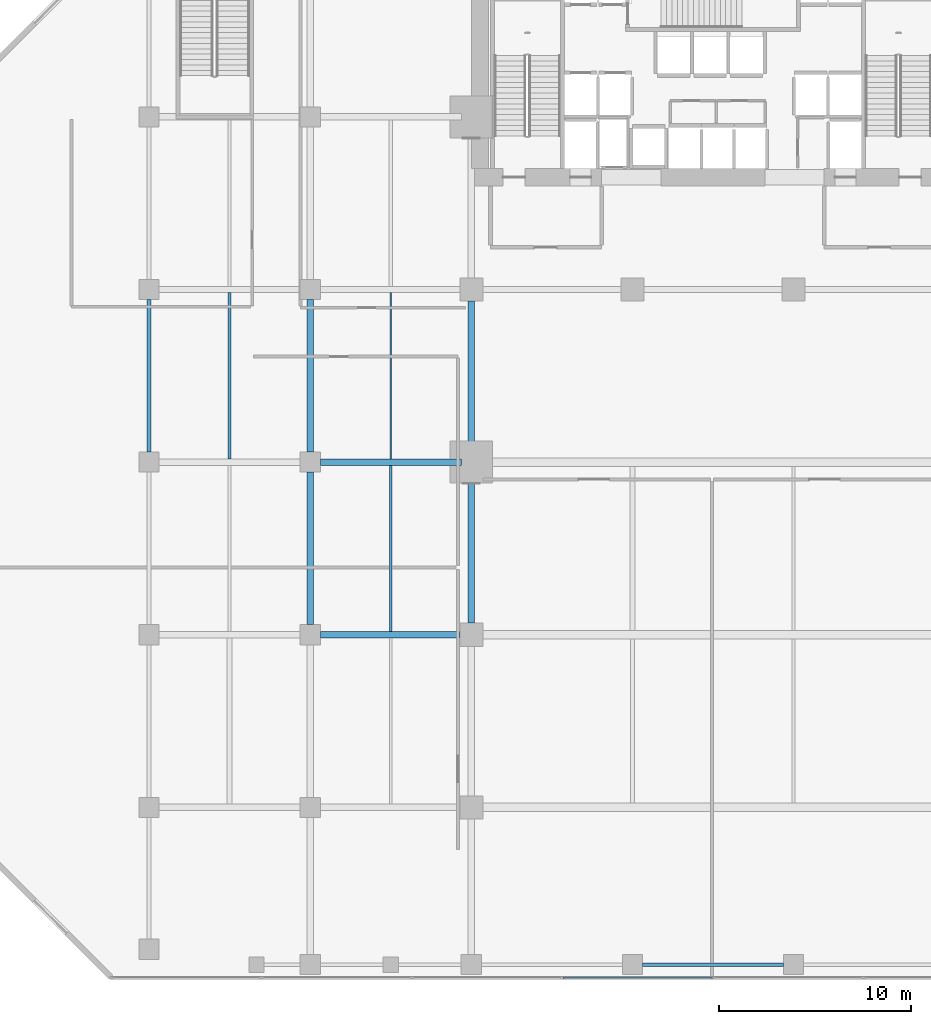
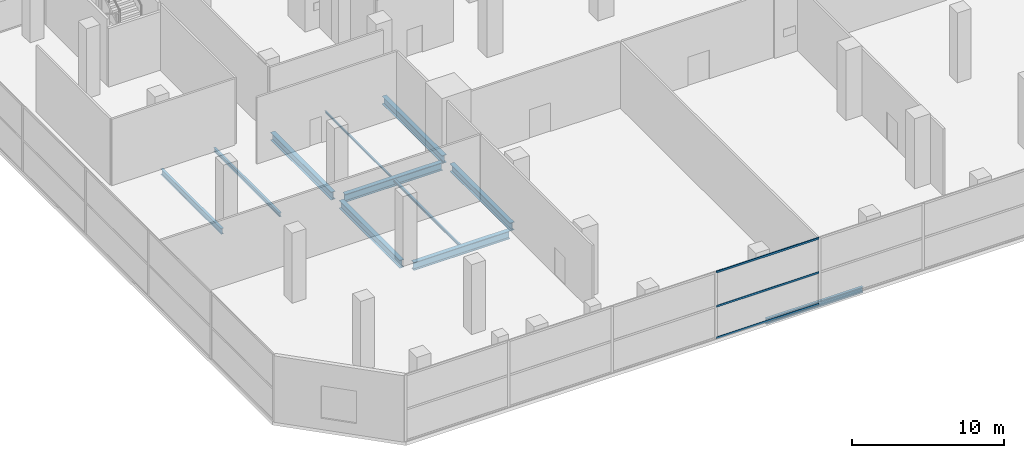
# One storey, part 12 of 40: 11 beams, 3 members, 1 element without a shape of its own.
"""IFC4 building model written with IfcOpenShell, lengths in metres."""

from ifc_helpers import new_model, si_unit, direction, frame, origin, origin_2d, place, context, subcontext, project, spatial, hollow_rectangle, i_section, extrude, material, layer, layer_set, material_profile, profile_set, type_object, element, aggregate, save


model = new_model("IFC4")

# Units and contexts
model_context = context("Model", 3, precision=1e-05, world=origin(), true_north=direction((0.0, 1.0)))
body_context = subcontext(model_context, "Body", "Model", "MODEL_VIEW")
ifc_project = project(units=[si_unit("LENGTHUNIT", "METRE"), si_unit("AREAUNIT", "SQUARE_METRE"), si_unit("VOLUMEUNIT", "CUBIC_METRE"), si_unit("PLANEANGLEUNIT", "RADIAN"), si_unit("MASSUNIT", "GRAM", prefix="KILO")], contexts=[model_context])

# Site, building, storey
site_placement = place(None, origin())
site = spatial("IfcSite", under=ifc_project, at=site_placement, CompositionType="ELEMENT")
building_placement = place(site_placement, origin())
building = spatial("IfcBuilding", under=site, at=building_placement, Name="Maruvema Waterfront Hotel and Observation Tower", CompositionType="ELEMENT")
storey_placement = place(building_placement, frame((0.0, 0.0, 10.85009765625)))
storey = spatial("IfcBuildingStorey", under=building, at=storey_placement, Name="L02", CompositionType="ELEMENT", Elevation=10.85009765625)

# Curtain wall, members
ifc_material_1 = material(Name="Anodised bronze aluminium and solar-control low-E IGU", Category="aluminium")
ifc_layer = layer(ifc_material_1, 0.159912109375, Name="Podium Waterfront Storefront Curtain Wall System CW-01")
ifc_layer_set = layer_set([ifc_layer], Name="Anodised bronze aluminium and solar-control low-E IGU")
curtain_wall_type = type_object("IfcCurtainWallType", Name="Podium Waterfront Storefront Curtain Wall System CW-01", PredefinedType="USERDEFINED", material=ifc_layer_set)
curtain_wall_placement = place(storey_placement, origin())
curtain_wall = element("IfcCurtainWall", 1, at=curtain_wall_placement, inside=storey, type_object=curtain_wall_type, Name="L02 Curtain Wall CW-L02-S", ObjectType="UNITISED CURTAIN WALL", PredefinedType="USERDEFINED")
ifc_material_2 = material(Name="Anodised architectural bronze aluminium", Category="aluminium")
ifc_material_profile_1 = material_profile(ifc_material_2, hollow_rectangle(XDim=0.070068359375, YDim=0.14990234375, WallThickness=0.00390625, at=origin_2d()), Name="ALU-T70x150")
ifc_profile_set_1 = profile_set([ifc_material_profile_1], Name="Anodised architectural bronze aluminium")
member_type = type_object("IfcMemberType", Name="Curtain Wall Horizontal Transom ALU-T70x150", PredefinedType="USERDEFINED", material=ifc_profile_set_1)
member_1_placement = place(storey_placement, frame((29.97998046875, 0.1201171875, 0.02978515625), z_axis=(1.0, 0.0, 0.0), x_axis=(0.0, 1.0, 0.0)))
member_1 = element("IfcMember", 2, at=member_1_placement, type_object=member_type, Name="CW-01 transom 4.1", ObjectType="TRANSOM", PredefinedType="USERDEFINED", context=body_context, shape_type="SweptSolid", body=[
    extrude(hollow_rectangle(XDim=0.070068359375, YDim=0.14990234375, WallThickness=0.00390625, at=origin_2d()), origin(), (0.0, 0.0, 1.0), 7.7900390625),
])
member_2_placement = place(storey_placement, frame((29.97998046875, 0.1201171875, 2.5498046875), z_axis=(1.0, 0.0, 0.0), x_axis=(0.0, 1.0, 0.0)))
member_2 = element("IfcMember", 3, at=member_2_placement, type_object=member_type, Name="CW-01 transom 4.2", ObjectType="TRANSOM", PredefinedType="USERDEFINED", context=body_context, shape_type="SweptSolid", body=[
    extrude(hollow_rectangle(XDim=0.070068359375, YDim=0.14990234375, WallThickness=0.00390625, at=origin_2d()), origin(), (0.0, 0.0, 1.0), 7.7900390625),
])
member_3_placement = place(storey_placement, frame((29.97998046875, 0.1201171875, 5.289794921875), z_axis=(1.0, 0.0, 0.0), x_axis=(0.0, 1.0, 0.0)))
member_3 = element("IfcMember", 4, at=member_3_placement, type_object=member_type, Name="CW-01 transom 4.3", ObjectType="TRANSOM", PredefinedType="USERDEFINED", context=body_context, shape_type="SweptSolid", body=[
    extrude(hollow_rectangle(XDim=0.070068359375, YDim=0.14990234375, WallThickness=0.00390625, at=origin_2d()), origin(), (0.0, 0.0, 1.0), 7.7900390625),
])
aggregate(curtain_wall, [member_1, member_2, member_3])

# Beams
ifc_material_3 = material(Name="Steel ASTM A572 Grade 50", Category="steel")
ifc_material_profile_2 = material_profile(ifc_material_3, i_section(OverallWidth=0.18994140625, OverallDepth=0.45703125, WebThickness=0.009033203125, FlangeThickness=0.014404296875, FilletRadius=0.014892578125, at=origin_2d()), Name="W460x74.0")
ifc_profile_set_2 = profile_set([ifc_material_profile_2], Name="Steel ASTM A572 Grade 50")
beam_type_1 = type_object("IfcBeamType", Name="Perimeter Spandrel Beam W460x74.0", PredefinedType="SPANDREL", material=ifc_profile_set_2)
beam_1_placement = place(storey_placement, frame((34.125, 0.800048828125, -0.508544921875), z_axis=(1.0, 0.0, 0.0), x_axis=(0.0, 1.0, 0.0)))
element("IfcBeam", 5, at=beam_1_placement, inside=storey, type_object=beam_type_1, Name="L02 Floor Girder EW-05", PredefinedType="SPANDREL", context=body_context, shape_type="SweptSolid", body=[
    extrude(i_section(OverallWidth=0.18994140625, OverallDepth=0.45703125, WebThickness=0.009033203125, FlangeThickness=0.014404296875, FilletRadius=0.014892578125, at=origin_2d()), origin(), (0.0, 0.0, 1.0), 7.35009765625),
])
beam_2_placement = place(storey_placement, frame((8.39990234375, 27.52490234375, -0.508544921875), z_axis=(0.0, 1.0, 0.0), x_axis=(-1.0, 0.0, 0.0)))
element("IfcBeam", 6, at=beam_2_placement, inside=storey, type_object=beam_type_1, Name="L02 Floor Girder NS-04", PredefinedType="SPANDREL", context=body_context, shape_type="SweptSolid", body=[
    extrude(i_section(OverallWidth=0.18994140625, OverallDepth=0.45703125, WebThickness=0.009033203125, FlangeThickness=0.014404296875, FilletRadius=0.014892578125, at=origin_2d()), origin(), (0.0, 0.0, 1.0), 7.9501953125),
])
ifc_material_4 = material(Name="Steel ASTM A572 Grade 50", Category="steel")
ifc_material_profile_3 = material_profile(ifc_material_4, i_section(OverallWidth=0.3291015625, OverallDepth=0.635009765625, WebThickness=0.017822265625, FlangeThickness=0.031005859375, FilletRadius=0.01806640625, at=origin_2d()), Name="W610x241.0")
ifc_profile_set_3 = profile_set([ifc_material_profile_3], Name="Steel ASTM A572 Grade 50")
beam_type_2 = type_object("IfcBeamType", Name="Primary Floor Girder W610x241.0", PredefinedType="BEAM", material=ifc_profile_set_3)
beam_3_placement = place(storey_placement, frame((17.324951171875, 18.0, -0.59765625), z_axis=(1.0, 0.0, 0.0), x_axis=(0.0, 1.0, 0.0)))
element("IfcBeam", 7, at=beam_3_placement, inside=storey, type_object=beam_type_2, Name="L02 Floor Girder EW-16", PredefinedType="BEAM", context=body_context, shape_type="SweptSolid", body=[
    extrude(i_section(OverallWidth=0.3291015625, OverallDepth=0.635009765625, WebThickness=0.017822265625, FlangeThickness=0.031005859375, FilletRadius=0.01806640625, at=origin_2d()), origin(), (0.0, 0.0, 1.0), 7.275146484375),
])
beam_4_placement = place(storey_placement, frame((17.324951171875, 27.0, -0.59765625), z_axis=(1.0, 0.0, 0.0), x_axis=(0.0, 1.0, 0.0)))
element("IfcBeam", 8, at=beam_4_placement, inside=storey, type_object=beam_type_2, Name="L02 Floor Girder EW-21", PredefinedType="BEAM", context=body_context, shape_type="SweptSolid", body=[
    extrude(i_section(OverallWidth=0.3291015625, OverallDepth=0.635009765625, WebThickness=0.017822265625, FlangeThickness=0.031005859375, FilletRadius=0.01806640625, at=origin_2d()), origin(), (0.0, 0.0, 1.0), 7.375),
])
for number, where, z_axis, x_axis, name in (
    (9, (16.800048828125, 18.52490234375, -0.59765625), (0.0, 1.0, 0.0), (-1.0, 0.0, 0.0), "L02 Floor Girder NS-09"),
    (10, (16.800048828125, 27.52490234375, -0.59765625), (0.0, 1.0, 0.0), (-1.0, 0.0, 0.0), "L02 Floor Girder NS-10"),
):
    element("IfcBeam", number, at=place(storey_placement, frame(where, z_axis=z_axis, x_axis=x_axis)), inside=storey, type_object=beam_type_2, Name=name, PredefinedType="BEAM", context=body_context, shape_type="SweptSolid", body=[
        extrude(i_section(OverallWidth=0.3291015625, OverallDepth=0.635009765625, WebThickness=0.017822265625, FlangeThickness=0.031005859375, FilletRadius=0.01806640625, at=origin_2d()), origin(), (0.0, 0.0, 1.0), 7.9501953125),
    ])
for number, where, z_axis, x_axis, name in (
    (11, (25.199951171875, 18.60009765625, -0.59765625), (0.0, 1.0, 0.0), (-1.0, 0.0, 0.0), "L02 Floor Girder NS-15"),
    (12, (25.199951171875, 27.5, -0.59765625), (0.0, 1.0, 0.0), (-1.0, 0.0, 0.0), "L02 Floor Girder NS-16"),
):
    element("IfcBeam", number, at=place(storey_placement, frame(where, z_axis=z_axis, x_axis=x_axis)), inside=storey, type_object=beam_type_2, Name=name, PredefinedType="BEAM", context=body_context, shape_type="SweptSolid", body=[
        extrude(i_section(OverallWidth=0.3291015625, OverallDepth=0.635009765625, WebThickness=0.017822265625, FlangeThickness=0.031005859375, FilletRadius=0.01806640625, at=origin_2d()), origin(), (0.0, 0.0, 1.0), 7.89990234375),
    ])
ifc_material_5 = material(Name="Steel ASTM A572 Grade 50", Category="steel")
ifc_material_profile_4 = material_profile(ifc_material_5, i_section(OverallWidth=0.10009765625, OverallDepth=0.153076171875, WebThickness=0.005859375, FlangeThickness=0.007080078125, FilletRadius=0.008056640625, at=origin_2d()), Name="W150x18.0")
ifc_profile_set_4 = profile_set([ifc_material_profile_4], Name="Steel ASTM A572 Grade 50")
beam_type_3 = type_object("IfcBeamType", Name="Secondary Floor Joist W150x18.0", PredefinedType="JOIST", material=ifc_profile_set_4)
beam_5_placement = place(storey_placement, frame((21.0, 27.16455078125, -0.356689453125), z_axis=(0.0, 1.0, 0.0), x_axis=(-1.0, 0.0, 0.0)))
element("IfcBeam", 13, at=beam_5_placement, inside=storey, type_object=beam_type_3, Name="L02 Secondary Floor Joist JS-07", PredefinedType="JOIST", context=body_context, shape_type="SweptSolid", body=[
    extrude(i_section(OverallWidth=0.10009765625, OverallDepth=0.153076171875, WebThickness=0.005859375, FlangeThickness=0.007080078125, FilletRadius=0.008056640625, at=origin_2d()), origin(), (0.0, 0.0, 1.0), 8.6708984375),
])
ifc_material_6 = material(Name="Steel ASTM A572 Grade 50", Category="steel")
ifc_material_profile_5 = material_profile(ifc_material_6, i_section(OverallWidth=0.133056640625, OverallDepth=0.20703125, WebThickness=0.005859375, FlangeThickness=0.00830078125, FilletRadius=0.010009765625, at=origin_2d()), Name="W200x26.6")
ifc_profile_set_5 = profile_set([ifc_material_profile_5], Name="Steel ASTM A572 Grade 50")
beam_type_4 = type_object("IfcBeamType", Name="Secondary Floor Joist W200x26.6", PredefinedType="JOIST", material=ifc_profile_set_5)
beam_6_placement = place(storey_placement, frame((21.0, 18.16455078125, -0.383544921875), z_axis=(0.0, 1.0, 0.0), x_axis=(-1.0, 0.0, 0.0)))
element("IfcBeam", 14, at=beam_6_placement, inside=storey, type_object=beam_type_4, Name="L02 Secondary Floor Joist JS-06", PredefinedType="JOIST", context=body_context, shape_type="SweptSolid", body=[
    extrude(i_section(OverallWidth=0.133056640625, OverallDepth=0.20703125, WebThickness=0.005859375, FlangeThickness=0.00830078125, FilletRadius=0.010009765625, at=origin_2d()), origin(), (0.0, 0.0, 1.0), 8.6708984375),
])
ifc_material_7 = material(Name="Steel ASTM A572 Grade 50", Category="steel")
ifc_material_profile_6 = material_profile(ifc_material_7, i_section(OverallWidth=0.1650390625, OverallDepth=0.31005859375, WebThickness=0.005859375, FlangeThickness=0.009765625, FilletRadius=0.012939453125, at=origin_2d()), Name="W310x38.7")
ifc_profile_set_6 = profile_set([ifc_material_profile_6], Name="Steel ASTM A572 Grade 50")
beam_type_5 = type_object("IfcBeamType", Name="Secondary Floor Joist W310x38.7", PredefinedType="JOIST", material=ifc_profile_set_6)
beam_7_placement = place(storey_placement, frame((12.60009765625, 27.16455078125, -0.43505859375), z_axis=(0.0, 1.0, 0.0), x_axis=(-1.0, 0.0, 0.0)))
element("IfcBeam", 15, at=beam_7_placement, inside=storey, type_object=beam_type_5, Name="L02 Secondary Floor Joist JS-03", PredefinedType="JOIST", context=body_context, shape_type="SweptSolid", body=[
    extrude(i_section(OverallWidth=0.1650390625, OverallDepth=0.31005859375, WebThickness=0.005859375, FlangeThickness=0.009765625, FilletRadius=0.012939453125, at=origin_2d()), origin(), (0.0, 0.0, 1.0), 8.6708984375),
])

save(model, "model.ifc")
